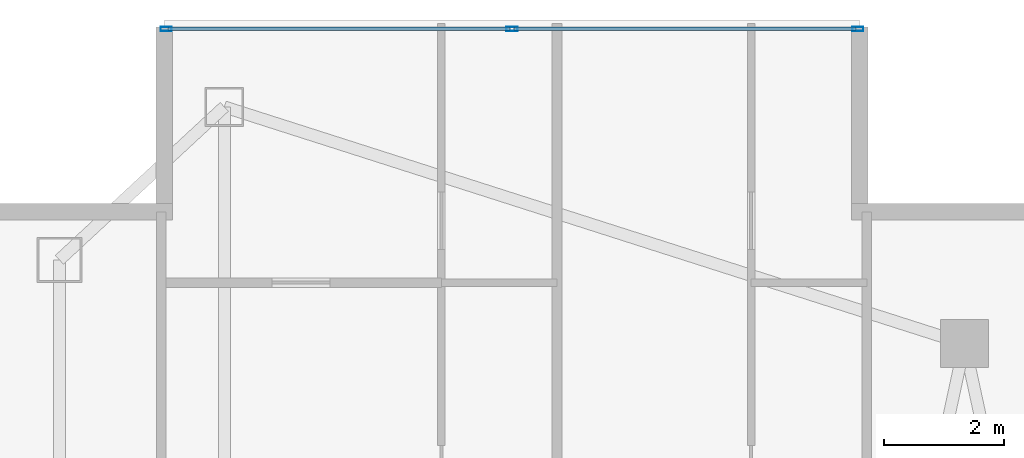
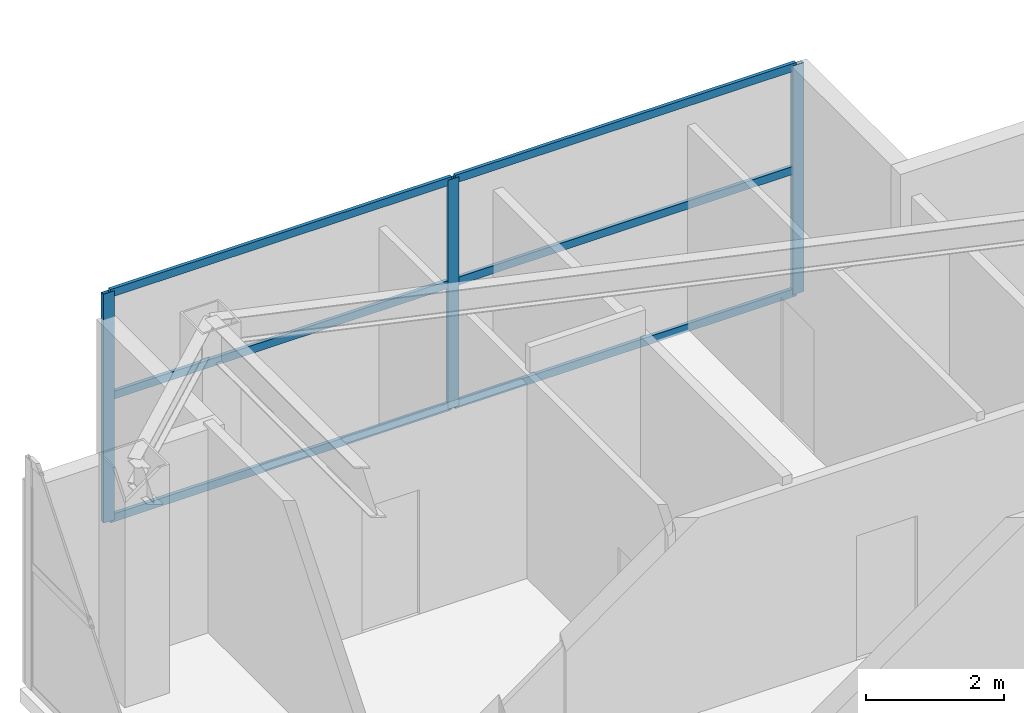
# One storey, part 20 of 29: 9 members, 1 element without a shape of its own.
"""IFC4 building model written with IfcOpenShell, lengths in metres."""

from ifc_helpers import new_model, si_unit, direction, frame, origin, origin_2d, place, context, subcontext, project, spatial, hollow_rectangle, extrude, material, layer, layer_set, material_profile, profile_set, type_object, element, aggregate, save


model = new_model("IFC4")

# Units and contexts
model_context = context("Model", 3, precision=1e-05, world=origin(), true_north=direction((0.0, 1.0)))
body_context = subcontext(model_context, "Body", "Model", "MODEL_VIEW")
ifc_project = project(units=[si_unit("LENGTHUNIT", "METRE"), si_unit("AREAUNIT", "SQUARE_METRE"), si_unit("VOLUMEUNIT", "CUBIC_METRE"), si_unit("PLANEANGLEUNIT", "RADIAN"), si_unit("MASSUNIT", "GRAM", prefix="KILO")], contexts=[model_context])

# Site, building, storey
site_placement = place(None, origin())
site = spatial("IfcSite", under=ifc_project, at=site_placement, CompositionType="ELEMENT")
building_placement = place(site_placement, origin())
building = spatial("IfcBuilding", under=site, at=building_placement, Name="Calvorn Quay Hotel", CompositionType="ELEMENT")
storey_placement = place(building_placement, frame((0.0, 0.0, 214.800048828125)))
storey = spatial("IfcBuildingStorey", under=building, at=storey_placement, Name="L53", CompositionType="ELEMENT", Elevation=214.800048828125)

# Curtain wall, members
ifc_material_1 = material(Name="Champagne Bronze Anodised Aluminium and Low-E Glass", Category="aluminium")
ifc_layer = layer(ifc_material_1, 0.219970703125)
ifc_layer_set = layer_set([ifc_layer], Name="CW-SYS-Z3")
curtain_wall_type = type_object("IfcCurtainWallType", Name="CW-SYS-Z3", PredefinedType="NOTDEFINED", material=ifc_layer_set)
curtain_wall_placement = place(storey_placement, origin())
curtain_wall = element("IfcCurtainWall", 1, at=curtain_wall_placement, inside=storey, type_object=curtain_wall_type, Name="Inner Court Curtain Wall L53-N1", PredefinedType="NOTDEFINED")
ifc_material_2 = material(Name="Champagne Bronze Anodised Aluminium 6063-T6", Category="aluminium")
ifc_material_profile_1 = material_profile(ifc_material_2, hollow_rectangle(XDim=0.068115234375, YDim=0.18505859375, WallThickness=0.00390625, at=origin_2d()), Name="ALU-M185x68x4")
ifc_profile_set_1 = profile_set([ifc_material_profile_1], Name="Champagne Bronze Anodised Aluminium 6063-T6")
member_type_1 = type_object("IfcMemberType", Name="CW-SYS-Z3-MUL", PredefinedType="MULLION", material=ifc_profile_set_1)
member_1_placement = place(storey_placement, frame((14.77001953125, 50.85009765625, 0.0), z_axis=(0.0, 0.0, 1.0), x_axis=(0.0, -1.0, 0.0)))
member_1 = element("IfcMember", 2, at=member_1_placement, type_object=member_type_1, Name="CW-L53-N1 mullion 1", PredefinedType="MULLION", context=body_context, shape_type="SweptSolid", body=[
    extrude(hollow_rectangle(XDim=0.068115234375, YDim=0.18505859375, WallThickness=0.00390625, at=origin_2d()), origin(), (0.0, 0.0, 1.0), 4.050048828125),
])
member_2_placement = place(storey_placement, frame((9.0, 50.85009765625, 0.0), z_axis=(0.0, 0.0, 1.0), x_axis=(0.0, -1.0, 0.0)))
member_2 = element("IfcMember", 3, at=member_2_placement, type_object=member_type_1, Name="CW-L53-N1 mullion 2", PredefinedType="MULLION", context=body_context, shape_type="SweptSolid", body=[
    extrude(hollow_rectangle(XDim=0.068115234375, YDim=0.18505859375, WallThickness=0.00390625, at=origin_2d()), origin(), (0.0, 0.0, 1.0), 4.050048828125),
])
member_3_placement = place(storey_placement, frame((3.22998046875, 50.85009765625, 0.0), z_axis=(0.0, 0.0, 1.0), x_axis=(0.0, -1.0, 0.0)))
member_3 = element("IfcMember", 4, at=member_3_placement, type_object=member_type_1, Name="CW-L53-N1 mullion 3", PredefinedType="MULLION", context=body_context, shape_type="SweptSolid", body=[
    extrude(hollow_rectangle(XDim=0.068115234375, YDim=0.18505859375, WallThickness=0.00390625, at=origin_2d()), origin(), (0.0, 0.0, 1.0), 4.050048828125),
])
ifc_material_3 = material(Name="Champagne Bronze Anodised Aluminium 6063-T6", Category="aluminium")
ifc_material_profile_2 = material_profile(ifc_material_3, hollow_rectangle(XDim=0.05810546875, YDim=0.139892578125, WallThickness=0.003173828125, at=origin_2d()), Name="ALU-T140x58x3.2")
ifc_profile_set_2 = profile_set([ifc_material_profile_2], Name="Champagne Bronze Anodised Aluminium 6063-T6")
member_type_2 = type_object("IfcMemberType", Name="CW-SYS-Z3-TRN", PredefinedType="USERDEFINED", material=ifc_profile_set_2)
member_4_placement = place(storey_placement, frame((14.739990234375, 50.85009765625, 0.030029296875), z_axis=(-1.0, 0.0, 0.0), x_axis=(0.0, -1.0, 0.0)))
member_4 = element("IfcMember", 5, at=member_4_placement, type_object=member_type_2, Name="CW-L53-N1 transom 1.1", ObjectType="TRANSOM", PredefinedType="USERDEFINED", context=body_context, shape_type="SweptSolid", body=[
    extrude(hollow_rectangle(XDim=0.05810546875, YDim=0.139892578125, WallThickness=0.003173828125, at=origin_2d()), origin(), (0.0, 0.0, 1.0), 5.7099609375),
])
member_5_placement = place(storey_placement, frame((14.739990234375, 50.85009765625, 2.199951171875), z_axis=(-1.0, 0.0, 0.0), x_axis=(0.0, -1.0, 0.0)))
member_5 = element("IfcMember", 6, at=member_5_placement, type_object=member_type_2, Name="CW-L53-N1 transom 1.2", ObjectType="TRANSOM", PredefinedType="USERDEFINED", context=body_context, shape_type="SweptSolid", body=[
    extrude(hollow_rectangle(XDim=0.05810546875, YDim=0.139892578125, WallThickness=0.003173828125, at=origin_2d()), origin(), (0.0, 0.0, 1.0), 5.7099609375),
])
member_6_placement = place(storey_placement, frame((14.739990234375, 50.85009765625, 4.02001953125), z_axis=(-1.0, 0.0, 0.0), x_axis=(0.0, -1.0, 0.0)))
member_6 = element("IfcMember", 7, at=member_6_placement, type_object=member_type_2, Name="CW-L53-N1 transom 1.3", ObjectType="TRANSOM", PredefinedType="USERDEFINED", context=body_context, shape_type="SweptSolid", body=[
    extrude(hollow_rectangle(XDim=0.05810546875, YDim=0.139892578125, WallThickness=0.003173828125, at=origin_2d()), origin(), (0.0, 0.0, 1.0), 5.7099609375),
])
member_7_placement = place(storey_placement, frame((8.969970703125, 50.85009765625, 0.030029296875), z_axis=(-1.0, 0.0, 0.0), x_axis=(0.0, -1.0, 0.0)))
member_7 = element("IfcMember", 8, at=member_7_placement, type_object=member_type_2, Name="CW-L53-N1 transom 2.1", ObjectType="TRANSOM", PredefinedType="USERDEFINED", context=body_context, shape_type="SweptSolid", body=[
    extrude(hollow_rectangle(XDim=0.05810546875, YDim=0.139892578125, WallThickness=0.003173828125, at=origin_2d()), origin(), (0.0, 0.0, 1.0), 5.7099609375),
])
member_8_placement = place(storey_placement, frame((8.969970703125, 50.85009765625, 2.199951171875), z_axis=(-1.0, 0.0, 0.0), x_axis=(0.0, -1.0, 0.0)))
member_8 = element("IfcMember", 9, at=member_8_placement, type_object=member_type_2, Name="CW-L53-N1 transom 2.2", ObjectType="TRANSOM", PredefinedType="USERDEFINED", context=body_context, shape_type="SweptSolid", body=[
    extrude(hollow_rectangle(XDim=0.05810546875, YDim=0.139892578125, WallThickness=0.003173828125, at=origin_2d()), origin(), (0.0, 0.0, 1.0), 5.7099609375),
])
member_9_placement = place(storey_placement, frame((8.969970703125, 50.85009765625, 4.02001953125), z_axis=(-1.0, 0.0, 0.0), x_axis=(0.0, -1.0, 0.0)))
member_9 = element("IfcMember", 10, at=member_9_placement, type_object=member_type_2, Name="CW-L53-N1 transom 2.3", ObjectType="TRANSOM", PredefinedType="USERDEFINED", context=body_context, shape_type="SweptSolid", body=[
    extrude(hollow_rectangle(XDim=0.05810546875, YDim=0.139892578125, WallThickness=0.003173828125, at=origin_2d()), origin(), (0.0, 0.0, 1.0), 5.7099609375),
])
aggregate(curtain_wall, [member_1, member_2, member_3, member_4, member_5, member_6, member_7, member_8, member_9])

save(model, "model.ifc")
